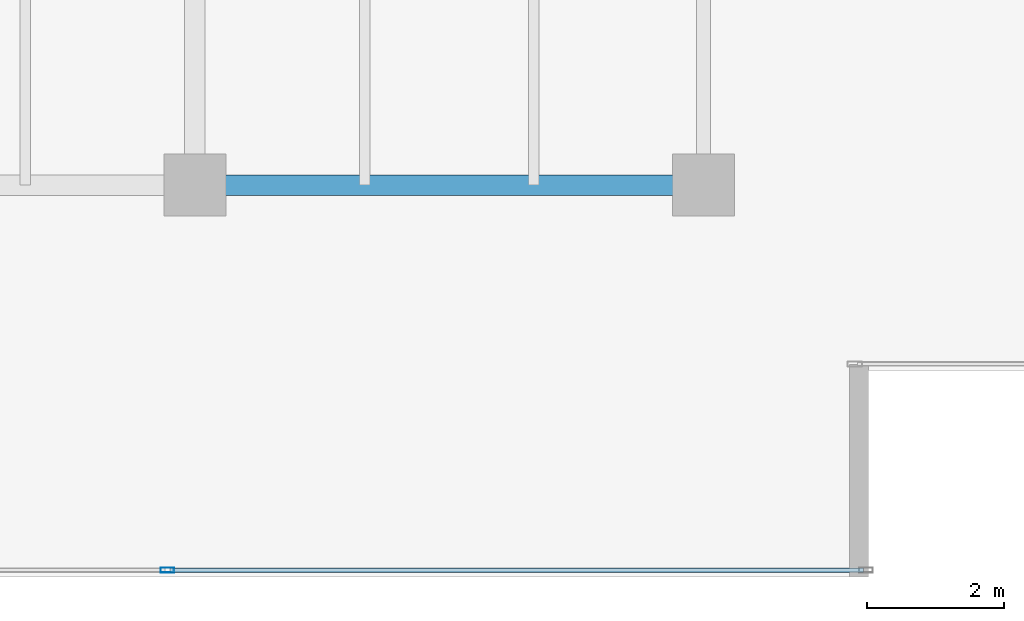
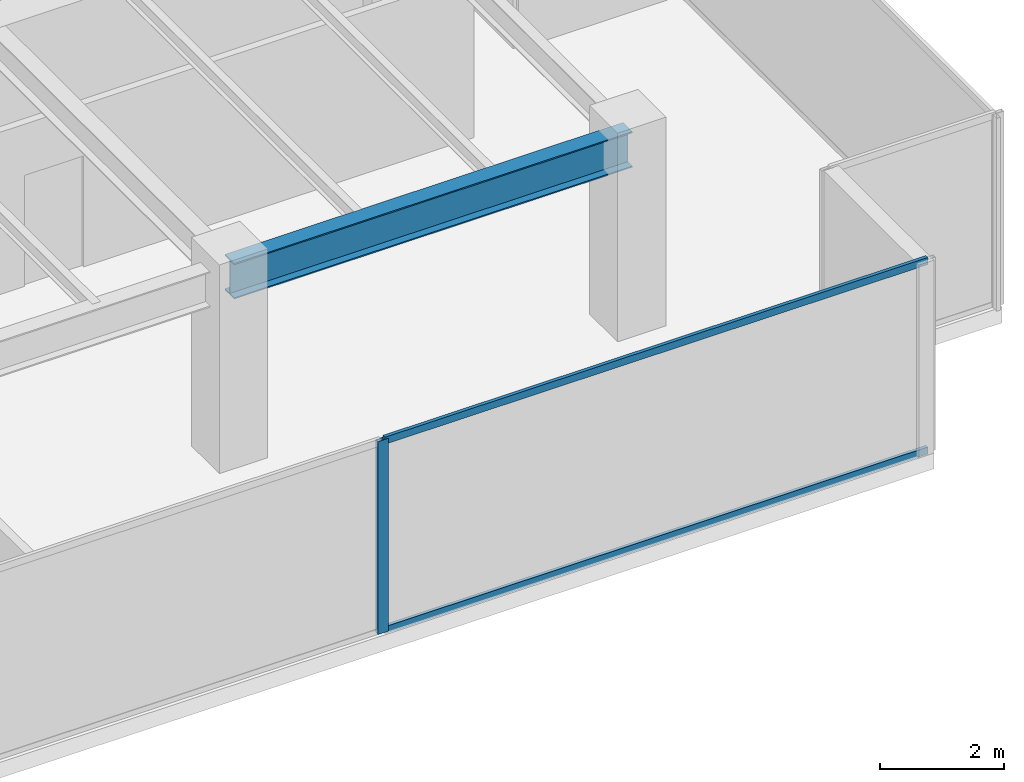
# One storey, part 12 of 30: 3 members, 1 beam, 1 element without a shape of its own.
"""IFC4 building model written with IfcOpenShell, lengths in metres."""

from ifc_helpers import new_model, si_unit, direction, frame, origin, origin_2d, place, context, subcontext, project, spatial, hollow_rectangle, i_section, extrude, source, transform, mapped, material, layer, layer_set, material_profile, profile_set, type_object, type_shapes, element, aggregate, save


model = new_model("IFC4")

# Units and contexts
model_context = context("Model", 3, precision=1e-05, world=origin(), true_north=direction((0.0, 1.0)))
body_context = subcontext(model_context, "Body", "Model", "MODEL_VIEW")
ifc_project = project(units=[si_unit("LENGTHUNIT", "METRE"), si_unit("AREAUNIT", "SQUARE_METRE"), si_unit("VOLUMEUNIT", "CUBIC_METRE"), si_unit("PLANEANGLEUNIT", "RADIAN"), si_unit("MASSUNIT", "GRAM", prefix="KILO")], contexts=[model_context])

# Site, building, storey
site_placement = place(None, origin())
site = spatial("IfcSite", under=ifc_project, at=site_placement, CompositionType="ELEMENT")
building_placement = place(site_placement, origin())
building = spatial("IfcBuilding", under=site, at=building_placement, Name="Haelvirn Gate Laboratories", CompositionType="ELEMENT")
storey_placement = place(building_placement, frame((0.0, 0.0, 183.0)))
storey = spatial("IfcBuildingStorey", under=building, at=storey_placement, Name="L44", CompositionType="ELEMENT", Elevation=183.0)

# Beam
ifc_material_1 = material(Name="Steel SM355", Category="steel")
ifc_material_profile_1 = material_profile(ifc_material_1, i_section(OverallWidth=0.300048828125, OverallDepth=0.699951171875, WebThickness=0.012939453125, FlangeThickness=0.02392578125, at=origin_2d()), Name="H-700x300x13x24")
ifc_profile_set_1 = profile_set([ifc_material_profile_1], Name="Steel SM355")
beam_type = type_object("IfcBeamType", Name="BM-G-700", PredefinedType="BEAM", material=ifc_profile_set_1)
shared_shape_1 = source(origin(), body_context, "Body", "SweptSolid", [
    extrude(i_section(OverallWidth=0.300048828125, OverallDepth=0.699951171875, WebThickness=0.012939453125, FlangeThickness=0.02392578125, at=origin_2d()), origin(), (0.0, 0.0, 1.0), 7.39990234375),
])
type_shapes(beam_type, [shared_shape_1])
beam_placement = place(storey_placement, frame((60.0, 7.0, 3.43994140625), z_axis=(1.0, 0.0, 0.0), x_axis=(0.0, 1.0, 0.0)))
element("IfcBeam", 1, at=beam_placement, inside=storey, type_object=beam_type, Name="L44 Primary Girder Y7.0 (60.0-67.4)", PredefinedType="BEAM", context=body_context, shape_type="MappedRepresentation", body=[
    mapped(shared_shape_1, transform((0.0, 0.0, 0.0), scale=1.0)),
])

# Curtain wall, members
ifc_material_2 = material(Name="Anodised bronze unitised aluminium & triple low-E glass", Category="aluminium")
ifc_layer = layer(ifc_material_2, 0.179931640625, Name="CW-SYS-3")
ifc_layer_set = layer_set([ifc_layer], Name="Anodised bronze unitised aluminium & triple low-E glass")
curtain_wall_type = type_object("IfcCurtainWallType", Name="CW-SYS-3", PredefinedType="NOTDEFINED", material=ifc_layer_set)
curtain_wall_placement = place(storey_placement, origin())
curtain_wall = element("IfcCurtainWall", 2, at=curtain_wall_placement, inside=storey, type_object=curtain_wall_type, Name="L44 Unitised Curtain Wall CW-L44-P0-E04-1", PredefinedType="NOTDEFINED")
ifc_material_3 = material(Name="Extruded aluminium 6063-T6 (anodised bronze)", Category="aluminium")
ifc_material_profile_2 = material_profile(ifc_material_3, hollow_rectangle(XDim=0.06494140625, YDim=0.139892578125, WallThickness=0.00390625, at=origin_2d()), Name="CWT-140x65x4")
ifc_profile_set_2 = profile_set([ifc_material_profile_2], Name="Extruded aluminium 6063-T6 (anodised bronze)")
member_type_1 = type_object("IfcMemberType", Name="CWT-T140", PredefinedType="USERDEFINED", material=ifc_profile_set_2)
shared_shape_2 = source(origin(), body_context, "Body", "SweptSolid", [
    extrude(hollow_rectangle(XDim=0.06494140625, YDim=0.139892578125, WallThickness=0.00390625, at=origin_2d()), origin(), (0.0, 0.0, 1.0), 10.087646484375),
])
type_shapes(member_type_1, [shared_shape_2])
member_1_placement = place(storey_placement, frame((59.637451171875, 1.39990234375, 0.032470703125), z_axis=(1.0, 0.0, 0.0), x_axis=(0.0, 1.0, 0.0)))
member_1 = element("IfcMember", 3, at=member_1_placement, type_object=member_type_1, Name="CW3 transom 2.1", ObjectType="TRANSOM", PredefinedType="USERDEFINED", context=body_context, shape_type="MappedRepresentation", body=[
    mapped(shared_shape_2, transform((0.0, 0.0, 0.0), scale=1.0)),
])
member_2_placement = place(storey_placement, frame((59.637451171875, 1.39990234375, 3.757568359375), z_axis=(1.0, 0.0, 0.0), x_axis=(0.0, 1.0, 0.0)))
member_2 = element("IfcMember", 4, at=member_2_placement, type_object=member_type_1, Name="CW3 transom 2.2", ObjectType="TRANSOM", PredefinedType="USERDEFINED", context=body_context, shape_type="MappedRepresentation", body=[
    mapped(shared_shape_2, transform((0.0, 0.0, 0.0), scale=1.0)),
])
ifc_material_profile_3 = material_profile(ifc_material_3, hollow_rectangle(XDim=0.074951171875, YDim=0.199951171875, WallThickness=0.0048828125, at=origin_2d()), Name="CWM-200x75x5")
ifc_profile_set_3 = profile_set([ifc_material_profile_3], Name="Extruded aluminium 6063-T6 (anodised bronze)")
member_type_2 = type_object("IfcMemberType", Name="CWM-T200", PredefinedType="MULLION", material=ifc_profile_set_3)
shared_shape_3 = source(origin(), body_context, "Body", "SweptSolid", [
    extrude(hollow_rectangle(XDim=0.074951171875, YDim=0.199951171875, WallThickness=0.0048828125, at=origin_2d()), origin(), (0.0, 0.0, 1.0), 3.7900390625),
])
type_shapes(member_type_2, [shared_shape_3])
member_3_placement = place(storey_placement, frame((59.60009765625, 1.39990234375, 0.0), z_axis=(0.0, 0.0, 1.0), x_axis=(0.0, 1.0, 0.0)))
member_3 = element("IfcMember", 5, at=member_3_placement, type_object=member_type_2, Name="CW3 mullion 2", PredefinedType="MULLION", context=body_context, shape_type="MappedRepresentation", body=[
    mapped(shared_shape_3, transform((0.0, 0.0, 0.0), scale=1.0)),
])
aggregate(curtain_wall, [member_3, member_1, member_2])

save(model, "model.ifc")
